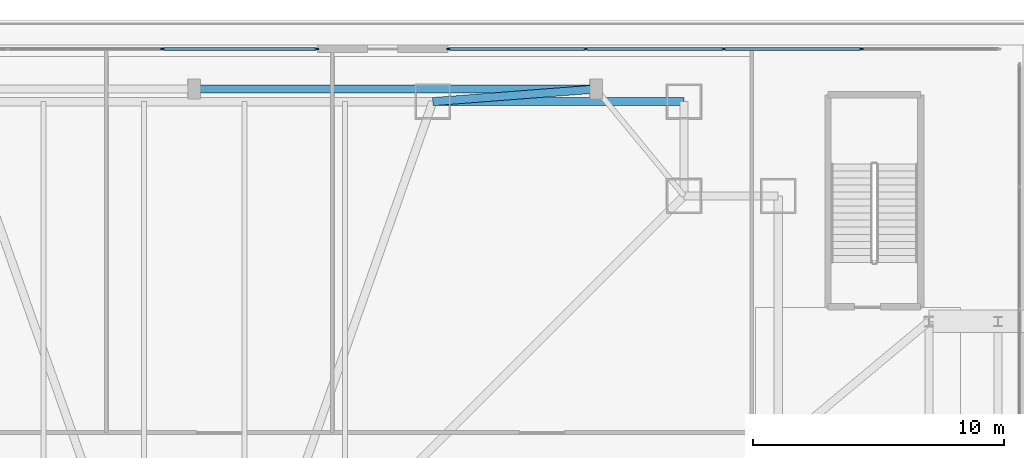
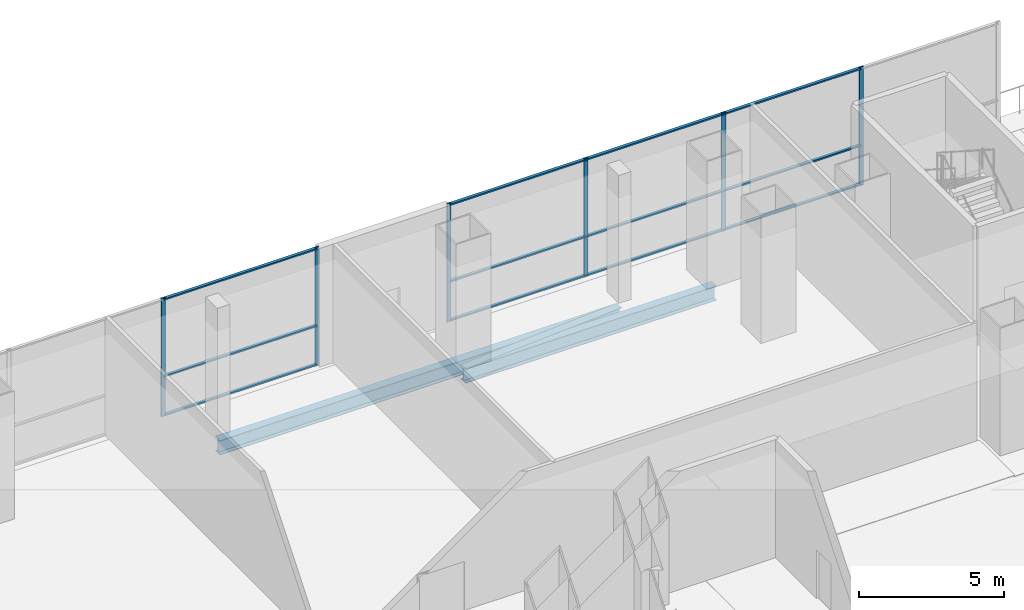
# One storey, part 16 of 36: 18 members, 3 beams, 2 elements without a shape of their own.
"""IFC4 building model written with IfcOpenShell, lengths in metres."""

import ifcopenshell
import ifcopenshell.guid

model = None  # the IFC model being written
_history = None  # IfcOwnerHistory: only IFC2X3 demands one
_inside = {}  # id of a spatial element -> (the spatial element, [elements in it])
_under = {}  # id of a project, library or spatial element -> (it, [spatial elements below it])
_declared = {}  # id of a project -> (the project, [libraries it declares])
_typed = {}  # id of a type object -> (the type object, [elements of that type])
_made_of = {}  # id of a material, layer set ... -> (it, [elements and type objects made of it])


def new_model(schema):
    """Start an empty IFC model of exactly this schema.

    Asked for "IFC4X3", IfcOpenShell would pick the latest addendum, in which some entities
    have other attributes; the version numbers below select the first issue.
    IFC2X3 requires an IfcOwnerHistory on every rooted entity: one is made here for all.
    """
    global model, _history
    if schema == "IFC4X3":
        model = ifcopenshell.file(schema_version=(4, 3, 0, 0))
    else:
        model = ifcopenshell.file(schema=schema)
    _inside.clear()
    _under.clear()
    _declared.clear()
    _typed.clear()
    _made_of.clear()
    _history = None
    if model.schema == "IFC2X3":
        org = make("IfcOrganization", Name="unknown")
        user = make(
            "IfcPersonAndOrganization",
            ThePerson=make("IfcPerson", FamilyName="unknown"),
            TheOrganization=org,
        )
        app = make(
            "IfcApplication",
            ApplicationDeveloper=org,
            Version="unknown",
            ApplicationFullName="unknown",
            ApplicationIdentifier="unknown",
        )
        _history = make(
            "IfcOwnerHistory",
            OwningUser=user,
            OwningApplication=app,
            ChangeAction="ADDED",
            CreationDate=0,
        )
    return model


def make(cls, **values):
    """One entity of the class cls with the attributes given. An attribute that is None is left unset."""
    return model.create_entity(
        cls, **{name: value for name, value in values.items() if value is not None}
    )


def rooted(cls, **values):
    """An entity with a GlobalId (a new one), such as an element, a storey or a relation."""
    return make(cls, GlobalId=ifcopenshell.guid.new(), OwnerHistory=_history, **values)


def si_unit(unit_type, name, prefix=None):
    """IfcSIUnit, for example si_unit("LENGTHUNIT", "METRE", prefix="MILLI")."""
    return make("IfcSIUnit", UnitType=unit_type, Prefix=prefix, Name=name)


def assignment(units):
    """IfcUnitAssignment: the units of a project."""
    return None if units is None else make("IfcUnitAssignment", Units=units)


def point(xyz):
    """IfcCartesianPoint."""
    return None if xyz is None else make("IfcCartesianPoint", Coordinates=xyz)


def direction(xyz):
    """IfcDirection."""
    return None if xyz is None else make("IfcDirection", DirectionRatios=xyz)


def frame(location, z_axis=None, x_axis=None):
    """IfcAxis2Placement3D, a coordinate frame: its origin and axes. An axis left out is left unset."""
    return make(
        "IfcAxis2Placement3D",
        Location=point(location),
        Axis=direction(z_axis),
        RefDirection=direction(x_axis),
    )


def frame_2d(location, x_axis=None):
    """IfcAxis2Placement2D, a coordinate frame in the plane: its origin and x axis."""
    return make(
        "IfcAxis2Placement2D", Location=point(location), RefDirection=direction(x_axis)
    )


def origin():
    """The frame at (0, 0, 0) with its axes left unset."""
    return frame((0.0, 0.0, 0.0))


def origin_2d():
    """The frame at (0, 0) in the plane with its x axis left unset."""
    return frame_2d((0.0, 0.0))


def place(relative_to, where):
    """IfcLocalPlacement: puts the frame where relative to a parent placement (None: the world)."""
    return make(
        "IfcLocalPlacement", PlacementRelTo=relative_to, RelativePlacement=where
    )


def context(
    kind, dimensions, precision=None, world=None, true_north=None, identifier=None
):
    """IfcGeometricRepresentationContext, for example the 3D "Model" context."""
    return make(
        "IfcGeometricRepresentationContext",
        ContextIdentifier=identifier,
        ContextType=kind,
        CoordinateSpaceDimension=dimensions,
        Precision=precision,
        WorldCoordinateSystem=world,
        TrueNorth=true_north,
    )


def subcontext(parent, identifier, kind, view, scale=None):
    """IfcGeometricRepresentationSubContext, for example "Body" below "Model"."""
    return make(
        "IfcGeometricRepresentationSubContext",
        ContextIdentifier=identifier,
        ContextType=kind,
        ParentContext=parent,
        TargetScale=scale,
        TargetView=view,
    )


def project(units=None, contexts=None):
    """IfcProject with its units and contexts."""
    return rooted(
        "IfcProject",
        Name="project",
        RepresentationContexts=contexts,
        UnitsInContext=assignment(units),
    )


def spatial(cls, under=None, at=None, **own):
    """A site, building, storey or space (cls), placed at a placement, below another one or the project."""
    s = rooted(cls, ObjectPlacement=at, **own)
    if under is not None:
        _under.setdefault(under.id(), (under, []))[1].append(s)
    return s


def profile(cls, at=None, kind="AREA", **sizes):
    """A parametric profile (cls). Its sizes go by their IFC names, for example OverallWidth=200.0."""
    return make(cls, ProfileType=kind, Position=at, **sizes)


def rectangle(**sizes):
    """IfcRectangleProfileDef."""
    return profile("IfcRectangleProfileDef", **sizes)


def i_section(**sizes):
    """IfcIShapeProfileDef."""
    return profile("IfcIShapeProfileDef", **sizes)


def extrude(swept, where, along, depth):
    """IfcExtrudedAreaSolid: the profile swept, set in the frame where, extruded along a direction by depth."""
    return make(
        "IfcExtrudedAreaSolid",
        SweptArea=swept,
        Position=where,
        ExtrudedDirection=direction(along),
        Depth=depth,
    )


def shape(context_of_items, identifier, shape_type, items):
    """IfcShapeRepresentation: the items that make up one representation, for example the "Body"."""
    return make(
        "IfcShapeRepresentation",
        ContextOfItems=context_of_items,
        RepresentationIdentifier=identifier,
        RepresentationType=shape_type,
        Items=items,
    )


def material(Name=None, Category=None):
    """IfcMaterial."""
    return make("IfcMaterial", Name=Name, Category=Category)


def layer(
    of_material, thickness, ventilated=None, Name=None, Category=None, Priority=None
):
    """IfcMaterialLayer: one layer of a wall or slab, of a material (None: an air gap)."""
    return make(
        "IfcMaterialLayer",
        Material=of_material,
        LayerThickness=thickness,
        IsVentilated=ventilated,
        Name=Name,
        Category=Category,
        Priority=Priority,
    )


def layer_set(layers, Name=None):
    """IfcMaterialLayerSet."""
    return make("IfcMaterialLayerSet", MaterialLayers=layers, LayerSetName=Name)


def material_profile(
    of_material, cross_section, Name=None, Category=None, Priority=None
):
    """IfcMaterialProfile: a cross section and its material."""
    return make(
        "IfcMaterialProfile",
        Name=Name,
        Material=of_material,
        Profile=cross_section,
        Priority=Priority,
        Category=Category,
    )


def profile_set(profiles, Name=None, composite=None):
    """IfcMaterialProfileSet."""
    return make(
        "IfcMaterialProfileSet",
        Name=Name,
        MaterialProfiles=profiles,
        CompositeProfile=composite,
    )


def made_of(thing, what):
    """Note that an element or type object is made of a material, layer set ...; save() writes the relation."""
    if what is not None:
        _made_of.setdefault(what.id(), (what, []))[1].append(thing)
    return thing


def type_object(cls, material=None, **own):
    """A type object (cls), such as IfcWallType, which elements share."""
    return made_of(rooted(cls, **own), material)


def element(
    cls,
    number,
    at=None,
    inside=None,
    cuts=None,
    type_object=None,
    material=None,
    context=None,
    identifier="Body",
    shape_type=None,
    held_by="IfcProductDefinitionShape",
    body=None,
    shapes=None,
    **own,
):
    """One element of the class cls, such as IfcWall. Its Tag is "e" and its number.

    at: its placement. inside: the storey or other place that contains it. cuts: it is an
    opening in that element (IfcRelVoidsElement). A single representation is given by context,
    identifier, shape_type and body (its items); several are given by shapes. held_by: the class
    of the entity that holds the representations. save() writes the other relations.
    """
    e = rooted(cls, Tag="e%d" % number, ObjectPlacement=at, **own)
    if body is not None:
        shapes = [shape(context, identifier, shape_type, body)]
    if shapes is not None:
        e.Representation = make(held_by, Representations=shapes)
    if inside is not None:
        _inside.setdefault(inside.id(), (inside, []))[1].append(e)
    if cuts is not None:
        rooted(
            "IfcRelVoidsElement", RelatingBuildingElement=cuts, RelatedOpeningElement=e
        )
    if type_object is not None:
        _typed.setdefault(type_object.id(), (type_object, []))[1].append(e)
    return made_of(e, material)


def aggregate(whole, parts):
    """IfcRelAggregates: a whole, such as a stair, and the parts it consists of."""
    return rooted("IfcRelAggregates", RelatingObject=whole, RelatedObjects=parts)


def save(model, path):
    """Write the relations noted so far, then the file.

    IfcRelAggregates (storeys below a building ...), IfcRelContainedInSpatialStructure (elements
    in a storey), IfcRelDefinesByType, IfcRelAssociatesMaterial and IfcRelDeclares: one each for
    every whole, place, type object, material and project.
    """
    for whole, parts in _under.values():
        aggregate(whole, parts)
    for where, things in _inside.values():
        rooted(
            "IfcRelContainedInSpatialStructure",
            RelatedElements=things,
            RelatingStructure=where,
        )
    for kind, things in _typed.values():
        rooted("IfcRelDefinesByType", RelatedObjects=things, RelatingType=kind)
    for what, things in _made_of.values():
        rooted("IfcRelAssociatesMaterial", RelatedObjects=things, RelatingMaterial=what)
    for by, libraries in _declared.values():
        rooted("IfcRelDeclares", RelatingContext=by, RelatedDefinitions=libraries)
    model.write(path)


model = new_model("IFC4")

# Units and contexts
model_context = context("Model", 3, precision=1e-05, world=origin(), true_north=direction((0.0, 1.0)))
body_context = subcontext(model_context, "Body", "Model", "MODEL_VIEW")
ifc_project = project(units=[si_unit("LENGTHUNIT", "METRE"), si_unit("AREAUNIT", "SQUARE_METRE"), si_unit("VOLUMEUNIT", "CUBIC_METRE"), si_unit("PLANEANGLEUNIT", "RADIAN"), si_unit("MASSUNIT", "GRAM", prefix="KILO")], contexts=[model_context])

# Site, building, storey
site_placement = place(None, origin())
site = spatial("IfcSite", under=ifc_project, at=site_placement, CompositionType="ELEMENT")
building_placement = place(site_placement, origin())
building = spatial("IfcBuilding", under=site, at=building_placement, Name="Trevonay Congress Spire", CompositionType="ELEMENT")
storey_placement = place(building_placement, frame((0.0, 0.0, 16.199951171875)))
storey = spatial("IfcBuildingStorey", under=building, at=storey_placement, Name="L03", CompositionType="ELEMENT", Elevation=16.199951171875)

# Beams
ifc_material_1 = material(Name="Steel ASTM A572 Grade 50", Category="steel")
ifc_material_profile_1 = material_profile(ifc_material_1, i_section(OverallWidth=0.324951171875, OverallDepth=0.615966796875, WebThickness=0.013916015625, FlangeThickness=0.021484375, FilletRadius=0.01806640625, at=origin_2d()), Name="W610x174")
ifc_profile_set_1 = profile_set([ifc_material_profile_1], Name="Steel ASTM A572 Grade 50")
beam_type = type_object("IfcBeamType", Name="BM-GIRD-W610X174", PredefinedType="BEAM", material=ifc_profile_set_1)
beam_1_placement = place(storey_placement, frame((9.5, 23.25, -0.7080078125), z_axis=(1.0, 0.0, 0.0), x_axis=(0.0, 1.0, 0.0)))
element("IfcBeam", 1, at=beam_1_placement, inside=storey, type_object=beam_type, Name="L03 structural beam BM-L03-MN3", PredefinedType="BEAM", context=body_context, shape_type="SweptSolid", body=[
    extrude(i_section(OverallWidth=0.324951171875, OverallDepth=0.615966796875, WebThickness=0.013916015625, FlangeThickness=0.021484375, FilletRadius=0.01806640625, at=origin_2d()), origin(), (0.0, 0.0, 1.0), 10.0),
])
beam_2_placement = place(storey_placement, frame((0.0, 23.75, -0.7080078125), z_axis=(1.0, 0.0, 0.0), x_axis=(0.0, 1.0, 0.0)))
element("IfcBeam", 2, at=beam_2_placement, inside=storey, type_object=beam_type, Name="L03 structural beam BM-L03-PIL-N2", PredefinedType="BEAM", context=body_context, shape_type="SweptSolid", body=[
    extrude(i_section(OverallWidth=0.324951171875, OverallDepth=0.615966796875, WebThickness=0.013916015625, FlangeThickness=0.021484375, FilletRadius=0.01806640625, at=origin_2d()), origin(), (0.0, 0.0, 1.0), 16.0),
])
beam_3_placement = place(storey_placement, frame((9.5, 23.25, -0.7080078125), z_axis=(0.997054485502, 0.076696498885, 0.0), x_axis=(-0.076696498885, 0.997054485502, 0.0)))
element("IfcBeam", 3, at=beam_3_placement, inside=storey, type_object=beam_type, Name="L03 structural beam BM-L03-PIL-TN2", PredefinedType="BEAM", context=body_context, shape_type="SweptSolid", body=[
    extrude(i_section(OverallWidth=0.324951171875, OverallDepth=0.615966796875, WebThickness=0.013916015625, FlangeThickness=0.021484375, FilletRadius=0.01806640625, at=origin_2d()), origin(), (0.0, 0.0, 1.0), 6.519287109375),
])

# Curtain wall, members
ifc_material_2 = material(Name="Pale Anodised Aluminium EN AW-6063-T6", Category="aluminium")
ifc_layer = layer(ifc_material_2, 0.179931640625, Name="Pale Anodised Aluminium EN AW-6063-T6")
ifc_layer_set = layer_set([ifc_layer], Name="Pale Anodised Aluminium EN AW-6063-T6")
curtain_wall_type = type_object("IfcCurtainWallType", Name="CW-SYS01-PODIUM-PALE-METAL", PredefinedType="NOTDEFINED", material=ifc_layer_set)
curtain_wall_1_placement = place(storey_placement, origin())
curtain_wall_1 = element("IfcCurtainWall", 4, at=curtain_wall_1_placement, inside=storey, type_object=curtain_wall_type, Name="L03 N1 podium curtain wall", PredefinedType="NOTDEFINED")
ifc_material_profile_2 = material_profile(ifc_material_2, rectangle(XDim=0.06005859375, YDim=0.159912109375, at=origin_2d()), Name="CW-MULLION-160-ALUMINIUM")
ifc_profile_set_2 = profile_set([ifc_material_profile_2], Name="Pale Anodised Aluminium EN AW-6063-T6")
member_type_1 = type_object("IfcMemberType", Name="CW-MULLION-160-ALUMINIUM", PredefinedType="MULLION", material=ifc_profile_set_2)
member_1_placement = place(storey_placement, frame((-1.25830078125, 25.35009765625, 0.0), z_axis=(0.0, 0.0, 1.0), x_axis=(0.0, 1.0, 0.0)))
member_1 = element("IfcMember", 5, at=member_1_placement, type_object=member_type_1, Name="CW01 mullion 6", PredefinedType="MULLION", context=body_context, shape_type="SweptSolid", body=[
    extrude(rectangle(XDim=0.06005859375, YDim=0.159912109375, at=origin_2d()), origin(), (0.0, 0.0, 1.0), 5.0),
])
member_2_placement = place(storey_placement, frame((4.8701171875, 25.35009765625, 0.0), z_axis=(0.0, 0.0, 1.0), x_axis=(0.0, 1.0, 0.0)))
member_2 = element("IfcMember", 6, at=member_2_placement, type_object=member_type_1, Name="CW01 mullion 7", PredefinedType="MULLION", context=body_context, shape_type="SweptSolid", body=[
    extrude(rectangle(XDim=0.06005859375, YDim=0.159912109375, at=origin_2d()), origin(), (0.0, 0.0, 1.0), 5.0),
])

curtain_wall_2_placement = place(storey_placement, origin())
curtain_wall_2 = element("IfcCurtainWall", 7, at=curtain_wall_2_placement, inside=storey, type_object=curtain_wall_type, Name="L03 N2 podium curtain wall", PredefinedType="NOTDEFINED")
member_3_placement = place(storey_placement, frame((10.1298828125, 25.35009765625, 0.0), z_axis=(0.0, 0.0, 1.0), x_axis=(0.0, 1.0, 0.0)))
member_3 = element("IfcMember", 8, at=member_3_placement, type_object=member_type_1, Name="CW01 mullion 1", PredefinedType="MULLION", context=body_context, shape_type="SweptSolid", body=[
    extrude(rectangle(XDim=0.06005859375, YDim=0.159912109375, at=origin_2d()), origin(), (0.0, 0.0, 1.0), 5.0),
])
member_4_placement = place(storey_placement, frame((15.58740234375, 25.35009765625, 0.0), z_axis=(0.0, 0.0, 1.0), x_axis=(0.0, 1.0, 0.0)))
member_4 = element("IfcMember", 9, at=member_4_placement, type_object=member_type_1, Name="CW01 mullion 2", PredefinedType="MULLION", context=body_context, shape_type="SweptSolid", body=[
    extrude(rectangle(XDim=0.06005859375, YDim=0.159912109375, at=origin_2d()), origin(), (0.0, 0.0, 1.0), 5.0),
])
member_5_placement = place(storey_placement, frame((21.074951171875, 25.35009765625, 0.0), z_axis=(0.0, 0.0, 1.0), x_axis=(0.0, 1.0, 0.0)))
member_5 = element("IfcMember", 10, at=member_5_placement, type_object=member_type_1, Name="CW01 mullion 3", PredefinedType="MULLION", context=body_context, shape_type="SweptSolid", body=[
    extrude(rectangle(XDim=0.06005859375, YDim=0.159912109375, at=origin_2d()), origin(), (0.0, 0.0, 1.0), 5.0),
])
member_6_placement = place(storey_placement, frame((26.5625, 25.35009765625, 0.0), z_axis=(0.0, 0.0, 1.0), x_axis=(0.0, 1.0, 0.0)))
member_6 = element("IfcMember", 11, at=member_6_placement, type_object=member_type_1, Name="CW01 mullion 4", PredefinedType="MULLION", context=body_context, shape_type="SweptSolid", body=[
    extrude(rectangle(XDim=0.06005859375, YDim=0.159912109375, at=origin_2d()), origin(), (0.0, 0.0, 1.0), 5.0),
])

# Member
ifc_material_profile_3 = material_profile(ifc_material_2, rectangle(XDim=0.1201171875, YDim=0.06005859375, at=origin_2d()), Name="CW-TRANSOM-120-ALUMINIUM")
ifc_profile_set_3 = profile_set([ifc_material_profile_3], Name="Pale Anodised Aluminium EN AW-6063-T6")
member_type_2 = type_object("IfcMemberType", Name="CW-TRANSOM-120-ALUMINIUM", PredefinedType="USERDEFINED", material=ifc_profile_set_3)
member_7_placement = place(storey_placement, frame((-1.228271484375, 25.35009765625, 0.06005859375), z_axis=(1.0, 0.0, 0.0), x_axis=(0.0, 1.0, 0.0)))
member_7 = element("IfcMember", 12, at=member_7_placement, type_object=member_type_2, Name="CW01 transom 6.1", ObjectType="TRANSOM", PredefinedType="USERDEFINED", context=body_context, shape_type="SweptSolid", body=[
    extrude(rectangle(XDim=0.1201171875, YDim=0.06005859375, at=origin_2d()), origin(), (0.0, 0.0, 1.0), 6.068359375),
])

member_8_placement = place(storey_placement, frame((-1.228271484375, 25.35009765625, 1.699951171875), z_axis=(1.0, 0.0, 0.0), x_axis=(0.0, 1.0, 0.0)))
member_8 = element("IfcMember", 13, at=member_8_placement, type_object=member_type_2, Name="CW01 transom 6.2", ObjectType="TRANSOM", PredefinedType="USERDEFINED", context=body_context, shape_type="SweptSolid", body=[
    extrude(rectangle(XDim=0.1201171875, YDim=0.06005859375, at=origin_2d()), origin(), (0.0, 0.0, 1.0), 6.068359375),
])

member_9_placement = place(storey_placement, frame((-1.228271484375, 25.35009765625, 4.93994140625), z_axis=(1.0, 0.0, 0.0), x_axis=(0.0, 1.0, 0.0)))
member_9 = element("IfcMember", 14, at=member_9_placement, type_object=member_type_2, Name="CW01 transom 6.3", ObjectType="TRANSOM", PredefinedType="USERDEFINED", context=body_context, shape_type="SweptSolid", body=[
    extrude(rectangle(XDim=0.1201171875, YDim=0.06005859375, at=origin_2d()), origin(), (0.0, 0.0, 1.0), 6.068359375),
])

aggregate(curtain_wall_1, [member_1, member_2, member_7, member_8, member_9])

member_10_placement = place(storey_placement, frame((10.159912109375, 25.35009765625, 0.06005859375), z_axis=(1.0, 0.0, 0.0), x_axis=(0.0, 1.0, 0.0)))
member_10 = element("IfcMember", 15, at=member_10_placement, type_object=member_type_2, Name="CW01 transom 1.1", ObjectType="TRANSOM", PredefinedType="USERDEFINED", context=body_context, shape_type="SweptSolid", body=[
    extrude(rectangle(XDim=0.1201171875, YDim=0.06005859375, at=origin_2d()), origin(), (0.0, 0.0, 1.0), 5.397705078125),
])

member_11_placement = place(storey_placement, frame((10.159912109375, 25.35009765625, 1.699951171875), z_axis=(1.0, 0.0, 0.0), x_axis=(0.0, 1.0, 0.0)))
member_11 = element("IfcMember", 16, at=member_11_placement, type_object=member_type_2, Name="CW01 transom 1.2", ObjectType="TRANSOM", PredefinedType="USERDEFINED", context=body_context, shape_type="SweptSolid", body=[
    extrude(rectangle(XDim=0.1201171875, YDim=0.06005859375, at=origin_2d()), origin(), (0.0, 0.0, 1.0), 5.397705078125),
])

member_12_placement = place(storey_placement, frame((10.159912109375, 25.35009765625, 4.93994140625), z_axis=(1.0, 0.0, 0.0), x_axis=(0.0, 1.0, 0.0)))
member_12 = element("IfcMember", 17, at=member_12_placement, type_object=member_type_2, Name="CW01 transom 1.3", ObjectType="TRANSOM", PredefinedType="USERDEFINED", context=body_context, shape_type="SweptSolid", body=[
    extrude(rectangle(XDim=0.1201171875, YDim=0.06005859375, at=origin_2d()), origin(), (0.0, 0.0, 1.0), 5.397705078125),
])

member_13_placement = place(storey_placement, frame((15.617431640625, 25.35009765625, 0.06005859375), z_axis=(1.0, 0.0, 0.0), x_axis=(0.0, 1.0, 0.0)))
member_13 = element("IfcMember", 18, at=member_13_placement, type_object=member_type_2, Name="CW01 transom 2.1", ObjectType="TRANSOM", PredefinedType="USERDEFINED", context=body_context, shape_type="SweptSolid", body=[
    extrude(rectangle(XDim=0.1201171875, YDim=0.06005859375, at=origin_2d()), origin(), (0.0, 0.0, 1.0), 5.427490234375),
])

member_14_placement = place(storey_placement, frame((15.617431640625, 25.35009765625, 1.699951171875), z_axis=(1.0, 0.0, 0.0), x_axis=(0.0, 1.0, 0.0)))
member_14 = element("IfcMember", 19, at=member_14_placement, type_object=member_type_2, Name="CW01 transom 2.2", ObjectType="TRANSOM", PredefinedType="USERDEFINED", context=body_context, shape_type="SweptSolid", body=[
    extrude(rectangle(XDim=0.1201171875, YDim=0.06005859375, at=origin_2d()), origin(), (0.0, 0.0, 1.0), 5.427490234375),
])

member_15_placement = place(storey_placement, frame((15.617431640625, 25.35009765625, 4.93994140625), z_axis=(1.0, 0.0, 0.0), x_axis=(0.0, 1.0, 0.0)))
member_15 = element("IfcMember", 20, at=member_15_placement, type_object=member_type_2, Name="CW01 transom 2.3", ObjectType="TRANSOM", PredefinedType="USERDEFINED", context=body_context, shape_type="SweptSolid", body=[
    extrude(rectangle(XDim=0.1201171875, YDim=0.06005859375, at=origin_2d()), origin(), (0.0, 0.0, 1.0), 5.427490234375),
])

member_16_placement = place(storey_placement, frame((21.10498046875, 25.35009765625, 0.06005859375), z_axis=(1.0, 0.0, 0.0), x_axis=(0.0, 1.0, 0.0)))
member_16 = element("IfcMember", 21, at=member_16_placement, type_object=member_type_2, Name="CW01 transom 3.1", ObjectType="TRANSOM", PredefinedType="USERDEFINED", context=body_context, shape_type="SweptSolid", body=[
    extrude(rectangle(XDim=0.1201171875, YDim=0.06005859375, at=origin_2d()), origin(), (0.0, 0.0, 1.0), 5.427490234375),
])

member_17_placement = place(storey_placement, frame((21.10498046875, 25.35009765625, 1.699951171875), z_axis=(1.0, 0.0, 0.0), x_axis=(0.0, 1.0, 0.0)))
member_17 = element("IfcMember", 22, at=member_17_placement, type_object=member_type_2, Name="CW01 transom 3.2", ObjectType="TRANSOM", PredefinedType="USERDEFINED", context=body_context, shape_type="SweptSolid", body=[
    extrude(rectangle(XDim=0.1201171875, YDim=0.06005859375, at=origin_2d()), origin(), (0.0, 0.0, 1.0), 5.427490234375),
])

member_18_placement = place(storey_placement, frame((21.10498046875, 25.35009765625, 4.93994140625), z_axis=(1.0, 0.0, 0.0), x_axis=(0.0, 1.0, 0.0)))
member_18 = element("IfcMember", 23, at=member_18_placement, type_object=member_type_2, Name="CW01 transom 3.3", ObjectType="TRANSOM", PredefinedType="USERDEFINED", context=body_context, shape_type="SweptSolid", body=[
    extrude(rectangle(XDim=0.1201171875, YDim=0.06005859375, at=origin_2d()), origin(), (0.0, 0.0, 1.0), 5.427490234375),
])

aggregate(curtain_wall_2, [member_3, member_4, member_5, member_6, member_10, member_11, member_12, member_13, member_14, member_15, member_16, member_17, member_18])

save(model, "model.ifc")
